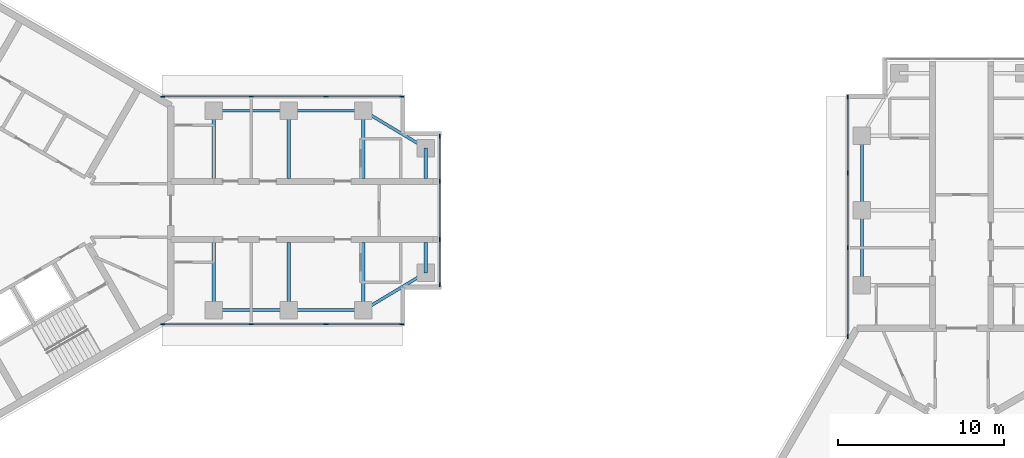
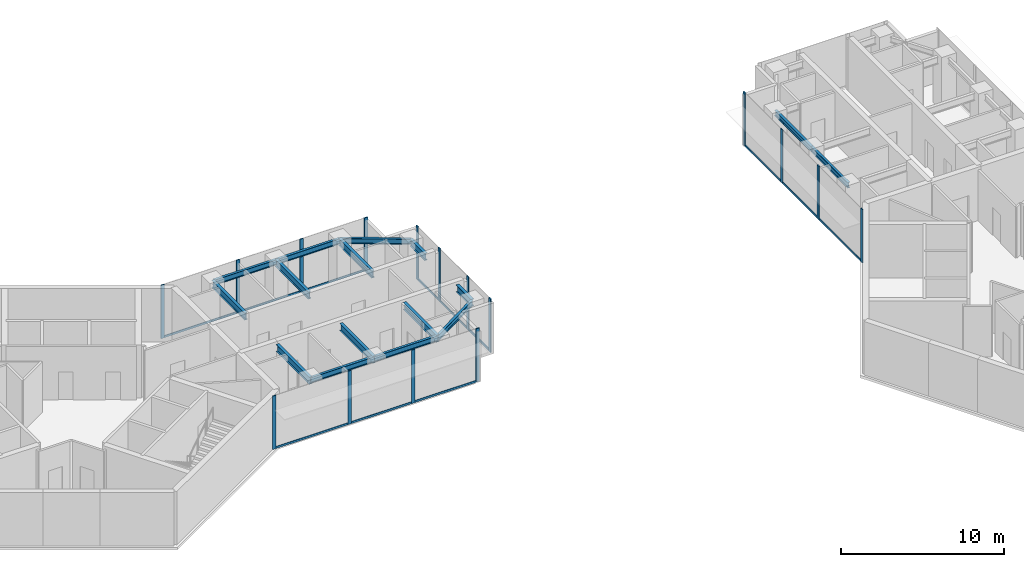
# One storey, part 2 of 11: 28 members, 16 beams, 4 elements without a shape of their own.
"""IFC4 building model written with IfcOpenShell, lengths in metres."""

import ifcopenshell
import ifcopenshell.guid

model = None  # the IFC model being written
_history = None  # IfcOwnerHistory: only IFC2X3 demands one
_inside = {}  # id of a spatial element -> (the spatial element, [elements in it])
_under = {}  # id of a project, library or spatial element -> (it, [spatial elements below it])
_declared = {}  # id of a project -> (the project, [libraries it declares])
_typed = {}  # id of a type object -> (the type object, [elements of that type])
_made_of = {}  # id of a material, layer set ... -> (it, [elements and type objects made of it])


def new_model(schema):
    """Start an empty IFC model of exactly this schema.

    Asked for "IFC4X3", IfcOpenShell would pick the latest addendum, in which some entities
    have other attributes; the version numbers below select the first issue.
    IFC2X3 requires an IfcOwnerHistory on every rooted entity: one is made here for all.
    """
    global model, _history
    if schema == "IFC4X3":
        model = ifcopenshell.file(schema_version=(4, 3, 0, 0))
    else:
        model = ifcopenshell.file(schema=schema)
    _inside.clear()
    _under.clear()
    _declared.clear()
    _typed.clear()
    _made_of.clear()
    _history = None
    if model.schema == "IFC2X3":
        org = make("IfcOrganization", Name="unknown")
        user = make(
            "IfcPersonAndOrganization",
            ThePerson=make("IfcPerson", FamilyName="unknown"),
            TheOrganization=org,
        )
        app = make(
            "IfcApplication",
            ApplicationDeveloper=org,
            Version="unknown",
            ApplicationFullName="unknown",
            ApplicationIdentifier="unknown",
        )
        _history = make(
            "IfcOwnerHistory",
            OwningUser=user,
            OwningApplication=app,
            ChangeAction="ADDED",
            CreationDate=0,
        )
    return model


def make(cls, **values):
    """One entity of the class cls with the attributes given. An attribute that is None is left unset."""
    return model.create_entity(
        cls, **{name: value for name, value in values.items() if value is not None}
    )


def rooted(cls, **values):
    """An entity with a GlobalId (a new one), such as an element, a storey or a relation."""
    return make(cls, GlobalId=ifcopenshell.guid.new(), OwnerHistory=_history, **values)


def si_unit(unit_type, name, prefix=None):
    """IfcSIUnit, for example si_unit("LENGTHUNIT", "METRE", prefix="MILLI")."""
    return make("IfcSIUnit", UnitType=unit_type, Prefix=prefix, Name=name)


def assignment(units):
    """IfcUnitAssignment: the units of a project."""
    return None if units is None else make("IfcUnitAssignment", Units=units)


def point(xyz):
    """IfcCartesianPoint."""
    return None if xyz is None else make("IfcCartesianPoint", Coordinates=xyz)


def direction(xyz):
    """IfcDirection."""
    return None if xyz is None else make("IfcDirection", DirectionRatios=xyz)


def frame(location, z_axis=None, x_axis=None):
    """IfcAxis2Placement3D, a coordinate frame: its origin and axes. An axis left out is left unset."""
    return make(
        "IfcAxis2Placement3D",
        Location=point(location),
        Axis=direction(z_axis),
        RefDirection=direction(x_axis),
    )


def frame_2d(location, x_axis=None):
    """IfcAxis2Placement2D, a coordinate frame in the plane: its origin and x axis."""
    return make(
        "IfcAxis2Placement2D", Location=point(location), RefDirection=direction(x_axis)
    )


def origin():
    """The frame at (0, 0, 0) with its axes left unset."""
    return frame((0.0, 0.0, 0.0))


def origin_2d():
    """The frame at (0, 0) in the plane with its x axis left unset."""
    return frame_2d((0.0, 0.0))


def place(relative_to, where):
    """IfcLocalPlacement: puts the frame where relative to a parent placement (None: the world)."""
    return make(
        "IfcLocalPlacement", PlacementRelTo=relative_to, RelativePlacement=where
    )


def context(
    kind, dimensions, precision=None, world=None, true_north=None, identifier=None
):
    """IfcGeometricRepresentationContext, for example the 3D "Model" context."""
    return make(
        "IfcGeometricRepresentationContext",
        ContextIdentifier=identifier,
        ContextType=kind,
        CoordinateSpaceDimension=dimensions,
        Precision=precision,
        WorldCoordinateSystem=world,
        TrueNorth=true_north,
    )


def subcontext(parent, identifier, kind, view, scale=None):
    """IfcGeometricRepresentationSubContext, for example "Body" below "Model"."""
    return make(
        "IfcGeometricRepresentationSubContext",
        ContextIdentifier=identifier,
        ContextType=kind,
        ParentContext=parent,
        TargetScale=scale,
        TargetView=view,
    )


def project(units=None, contexts=None):
    """IfcProject with its units and contexts."""
    return rooted(
        "IfcProject",
        Name="project",
        RepresentationContexts=contexts,
        UnitsInContext=assignment(units),
    )


def spatial(cls, under=None, at=None, **own):
    """A site, building, storey or space (cls), placed at a placement, below another one or the project."""
    s = rooted(cls, ObjectPlacement=at, **own)
    if under is not None:
        _under.setdefault(under.id(), (under, []))[1].append(s)
    return s


def profile(cls, at=None, kind="AREA", **sizes):
    """A parametric profile (cls). Its sizes go by their IFC names, for example OverallWidth=200.0."""
    return make(cls, ProfileType=kind, Position=at, **sizes)


def rectangle(**sizes):
    """IfcRectangleProfileDef."""
    return profile("IfcRectangleProfileDef", **sizes)


def i_section(**sizes):
    """IfcIShapeProfileDef."""
    return profile("IfcIShapeProfileDef", **sizes)


def extrude(swept, where, along, depth):
    """IfcExtrudedAreaSolid: the profile swept, set in the frame where, extruded along a direction by depth."""
    return make(
        "IfcExtrudedAreaSolid",
        SweptArea=swept,
        Position=where,
        ExtrudedDirection=direction(along),
        Depth=depth,
    )


def shape(context_of_items, identifier, shape_type, items):
    """IfcShapeRepresentation: the items that make up one representation, for example the "Body"."""
    return make(
        "IfcShapeRepresentation",
        ContextOfItems=context_of_items,
        RepresentationIdentifier=identifier,
        RepresentationType=shape_type,
        Items=items,
    )


def material(Name=None, Category=None):
    """IfcMaterial."""
    return make("IfcMaterial", Name=Name, Category=Category)


def material_profile(
    of_material, cross_section, Name=None, Category=None, Priority=None
):
    """IfcMaterialProfile: a cross section and its material."""
    return make(
        "IfcMaterialProfile",
        Name=Name,
        Material=of_material,
        Profile=cross_section,
        Priority=Priority,
        Category=Category,
    )


def profile_set(profiles, Name=None, composite=None):
    """IfcMaterialProfileSet."""
    return make(
        "IfcMaterialProfileSet",
        Name=Name,
        MaterialProfiles=profiles,
        CompositeProfile=composite,
    )


def made_of(thing, what):
    """Note that an element or type object is made of a material, layer set ...; save() writes the relation."""
    if what is not None:
        _made_of.setdefault(what.id(), (what, []))[1].append(thing)
    return thing


def type_object(cls, material=None, **own):
    """A type object (cls), such as IfcWallType, which elements share."""
    return made_of(rooted(cls, **own), material)


def element(
    cls,
    number,
    at=None,
    inside=None,
    cuts=None,
    type_object=None,
    material=None,
    context=None,
    identifier="Body",
    shape_type=None,
    held_by="IfcProductDefinitionShape",
    body=None,
    shapes=None,
    **own,
):
    """One element of the class cls, such as IfcWall. Its Tag is "e" and its number.

    at: its placement. inside: the storey or other place that contains it. cuts: it is an
    opening in that element (IfcRelVoidsElement). A single representation is given by context,
    identifier, shape_type and body (its items); several are given by shapes. held_by: the class
    of the entity that holds the representations. save() writes the other relations.
    """
    e = rooted(cls, Tag="e%d" % number, ObjectPlacement=at, **own)
    if body is not None:
        shapes = [shape(context, identifier, shape_type, body)]
    if shapes is not None:
        e.Representation = make(held_by, Representations=shapes)
    if inside is not None:
        _inside.setdefault(inside.id(), (inside, []))[1].append(e)
    if cuts is not None:
        rooted(
            "IfcRelVoidsElement", RelatingBuildingElement=cuts, RelatedOpeningElement=e
        )
    if type_object is not None:
        _typed.setdefault(type_object.id(), (type_object, []))[1].append(e)
    return made_of(e, material)


def aggregate(whole, parts):
    """IfcRelAggregates: a whole, such as a stair, and the parts it consists of."""
    return rooted("IfcRelAggregates", RelatingObject=whole, RelatedObjects=parts)


def save(model, path):
    """Write the relations noted so far, then the file.

    IfcRelAggregates (storeys below a building ...), IfcRelContainedInSpatialStructure (elements
    in a storey), IfcRelDefinesByType, IfcRelAssociatesMaterial and IfcRelDeclares: one each for
    every whole, place, type object, material and project.
    """
    for whole, parts in _under.values():
        aggregate(whole, parts)
    for where, things in _inside.values():
        rooted(
            "IfcRelContainedInSpatialStructure",
            RelatedElements=things,
            RelatingStructure=where,
        )
    for kind, things in _typed.values():
        rooted("IfcRelDefinesByType", RelatedObjects=things, RelatingType=kind)
    for what, things in _made_of.values():
        rooted("IfcRelAssociatesMaterial", RelatedObjects=things, RelatingMaterial=what)
    for by, libraries in _declared.values():
        rooted("IfcRelDeclares", RelatingContext=by, RelatedDefinitions=libraries)
    model.write(path)


model = new_model("IFC4")

# Units and contexts
model_context = context("Model", 3, precision=1e-05, world=origin(), true_north=direction((0.0, 1.0)))
body_context = subcontext(model_context, "Body", "Model", "MODEL_VIEW")
ifc_project = project(units=[si_unit("LENGTHUNIT", "METRE"), si_unit("AREAUNIT", "SQUARE_METRE"), si_unit("VOLUMEUNIT", "CUBIC_METRE"), si_unit("PLANEANGLEUNIT", "RADIAN"), si_unit("MASSUNIT", "GRAM", prefix="KILO")], contexts=[model_context])

# Site, building, storey
site_placement = place(None, origin())
site = spatial("IfcSite", under=ifc_project, at=site_placement, CompositionType="ELEMENT")
building_placement = place(site_placement, origin())
building = spatial("IfcBuilding", under=site, at=building_placement, Name="Upepo Twin Towers", CompositionType="ELEMENT")
storey_placement = place(building_placement, frame((0.0, 0.0, 251.5)))
storey = spatial("IfcBuildingStorey", under=building, at=storey_placement, Name="L61", CompositionType="ELEMENT", Elevation=251.5)

# Beams
ifc_material_1 = material(Name="Steel S355", Category="steel")
ifc_material_profile_1 = material_profile(ifc_material_1, i_section(OverallWidth=0.177978515625, OverallDepth=0.406494140625, WebThickness=0.0078125, FlangeThickness=0.0126953125, FilletRadius=0.01025390625, at=origin_2d()), Name="UB 406x178x60")
ifc_profile_set_1 = profile_set([ifc_material_profile_1], Name="Steel S355")
beam_type_1 = type_object("IfcBeamType", Name="Beam UB 406x178x60", PredefinedType="BEAM", material=ifc_profile_set_1)
for number, where, z_axis, x_axis, name in (
    (1, (13.5, 6.0, 3.5966796875), (1.0, 0.0, 0.0), (0.0, 1.0, 0.0), "T1 edge beam AL 13.5-18.0"),
    (2, (18.0, 6.0, 3.5966796875), (1.0, 0.0, 0.0), (0.0, 1.0, 0.0), "T1 edge beam AL 18.0-22.5"),
):
    element("IfcBeam", number, at=place(storey_placement, frame(where, z_axis=z_axis, x_axis=x_axis)), inside=storey, type_object=beam_type_1, Name=name, PredefinedType="BEAM", context=body_context, shape_type="SweptSolid", body=[
        extrude(i_section(OverallWidth=0.177978515625, OverallDepth=0.406494140625, WebThickness=0.0078125, FlangeThickness=0.0126953125, FilletRadius=0.01025390625, at=origin_2d()), origin(), (0.0, 0.0, 1.0), 4.5),
    ])
beam_1_placement = place(storey_placement, frame((22.5, 6.0, 3.5966796875), z_axis=(0.857492925713, -0.514495755428, 0.0), x_axis=(0.514495755428, 0.857492925713, 0.0)))
element("IfcBeam", 3, at=beam_1_placement, inside=storey, type_object=beam_type_1, Name="T1 nose edge beam AL", PredefinedType="BEAM", context=body_context, shape_type="SweptSolid", body=[
    extrude(i_section(OverallWidth=0.177978515625, OverallDepth=0.406494140625, WebThickness=0.0078125, FlangeThickness=0.0126953125, FilletRadius=0.01025390625, at=origin_2d()), origin(), (0.0, 0.0, 1.0), 4.373291015625),
])
for number, where, z_axis, x_axis, name in (
    (4, (13.5, -6.0, 3.5966796875), (1.0, 0.0, 0.0), (0.0, 1.0, 0.0), "T1 edge beam AR 13.5-18.0"),
    (5, (18.0, -6.0, 3.5966796875), (1.0, 0.0, 0.0), (0.0, 1.0, 0.0), "T1 edge beam AR 18.0-22.5"),
):
    element("IfcBeam", number, at=place(storey_placement, frame(where, z_axis=z_axis, x_axis=x_axis)), inside=storey, type_object=beam_type_1, Name=name, PredefinedType="BEAM", context=body_context, shape_type="SweptSolid", body=[
        extrude(i_section(OverallWidth=0.177978515625, OverallDepth=0.406494140625, WebThickness=0.0078125, FlangeThickness=0.0126953125, FilletRadius=0.01025390625, at=origin_2d()), origin(), (0.0, 0.0, 1.0), 4.5),
    ])
beam_2_placement = place(storey_placement, frame((22.5, -6.0, 3.5966796875), z_axis=(0.857492925713, 0.514495755428, 0.0), x_axis=(-0.514495755428, 0.857492925713, 0.0)))
element("IfcBeam", 6, at=beam_2_placement, inside=storey, type_object=beam_type_1, Name="T1 nose edge beam AR", PredefinedType="BEAM", context=body_context, shape_type="SweptSolid", body=[
    extrude(i_section(OverallWidth=0.177978515625, OverallDepth=0.406494140625, WebThickness=0.0078125, FlangeThickness=0.0126953125, FilletRadius=0.01025390625, at=origin_2d()), origin(), (0.0, 0.0, 1.0), 4.373291015625),
])
for number, where, z_axis, x_axis, name in (
    (7, (52.5, -4.5, 3.5966796875), (0.0, 1.0, 0.0), (-1.0, 0.0, 0.0), "T2 edge beam AL 13.5-18.0"),
    (8, (52.5, 0.0, 3.5966796875), (0.0, 1.0, 0.0), (-1.0, 0.0, 0.0), "T2 edge beam AL 18.0-22.5"),
):
    element("IfcBeam", number, at=place(storey_placement, frame(where, z_axis=z_axis, x_axis=x_axis)), inside=storey, type_object=beam_type_1, Name=name, PredefinedType="BEAM", context=body_context, shape_type="SweptSolid", body=[
        extrude(i_section(OverallWidth=0.177978515625, OverallDepth=0.406494140625, WebThickness=0.0078125, FlangeThickness=0.0126953125, FilletRadius=0.01025390625, at=origin_2d()), origin(), (0.0, 0.0, 1.0), 4.5),
    ])
ifc_material_2 = material(Name="Steel S355", Category="steel")
ifc_material_profile_2 = material_profile(ifc_material_2, i_section(OverallWidth=0.2099609375, OverallDepth=0.53662109375, WebThickness=0.0107421875, FlangeThickness=0.017333984375, FilletRadius=0.0126953125, at=origin_2d()), Name="UB 533x210x101")
ifc_profile_set_2 = profile_set([ifc_material_profile_2], Name="Steel S355")
beam_type_2 = type_object("IfcBeamType", Name="Beam UB 533x210x101", PredefinedType="BEAM", material=ifc_profile_set_2)
for number, where, z_axis, x_axis, name in (
    (9, (26.25, 3.75, 3.53173828125), (0.0, -1.0, 0.0), (1.0, 0.0, 0.0), "T1 nose beam AL"),
    (10, (26.25, -3.75, 3.53173828125), (0.0, 1.0, 0.0), (-1.0, 0.0, 0.0), "T1 nose beam AR"),
):
    element("IfcBeam", number, at=place(storey_placement, frame(where, z_axis=z_axis, x_axis=x_axis)), inside=storey, type_object=beam_type_2, Name=name, PredefinedType="BEAM", context=body_context, shape_type="SweptSolid", body=[
        extrude(i_section(OverallWidth=0.2099609375, OverallDepth=0.53662109375, WebThickness=0.0107421875, FlangeThickness=0.017333984375, FilletRadius=0.0126953125, at=origin_2d()), origin(), (0.0, 0.0, 1.0), 1.824951171875),
    ])
ifc_material_3 = material(Name="Steel S355", Category="steel")
ifc_material_profile_3 = material_profile(ifc_material_3, i_section(OverallWidth=0.209228515625, OverallDepth=0.533203125, WebThickness=0.010009765625, FlangeThickness=0.015625, FilletRadius=0.0126953125, at=origin_2d()), Name="UB 533x210x92")
ifc_profile_set_3 = profile_set([ifc_material_profile_3], Name="Steel S355")
beam_type_3 = type_object("IfcBeamType", Name="Beam UB 533x210x92", PredefinedType="BEAM", material=ifc_profile_set_3)
for number, where, z_axis, x_axis, name in (
    (11, (13.5, 6.0, 3.533447265625), (0.0, -1.0, 0.0), (1.0, 0.0, 0.0), "T1 girder AL at 13.5"),
    (12, (18.0, 6.0, 3.533447265625), (0.0, -1.0, 0.0), (1.0, 0.0, 0.0), "T1 girder AL at 18.0"),
    (13, (22.5, 6.0, 3.533447265625), (0.0, -1.0, 0.0), (1.0, 0.0, 0.0), "T1 girder AL at 22.5"),
    (14, (13.5, -6.0, 3.533447265625), (0.0, 1.0, 0.0), (-1.0, 0.0, 0.0), "T1 girder AR at 13.5"),
    (15, (18.0, -6.0, 3.533447265625), (0.0, 1.0, 0.0), (-1.0, 0.0, 0.0), "T1 girder AR at 18.0"),
    (16, (22.5, -6.0, 3.533447265625), (0.0, 1.0, 0.0), (-1.0, 0.0, 0.0), "T1 girder AR at 22.5"),
):
    element("IfcBeam", number, at=place(storey_placement, frame(where, z_axis=z_axis, x_axis=x_axis)), inside=storey, type_object=beam_type_3, Name=name, PredefinedType="BEAM", context=body_context, shape_type="SweptSolid", body=[
        extrude(i_section(OverallWidth=0.209228515625, OverallDepth=0.533203125, WebThickness=0.010009765625, FlangeThickness=0.015625, FilletRadius=0.0126953125, at=origin_2d()), origin(), (0.0, 0.0, 1.0), 4.074951171875),
    ])

# Curtain wall, members
ifc_material_4 = material(Name="Aluminium and fritted glass", Category="aluminium")
curtain_wall_type = type_object("IfcCurtainWallType", Name="Tower curtain wall TW4, fritted glass", PredefinedType="NOTDEFINED", material=ifc_material_4)
curtain_wall_1_placement = place(storey_placement, origin())
curtain_wall_1 = element("IfcCurtainWall", 17, at=curtain_wall_1_placement, inside=storey, type_object=curtain_wall_type, Name="T1 L61 wing A flank L curtain wall", PredefinedType="NOTDEFINED")
ifc_material_5 = material(Name="Aluminium mullion", Category="aluminium")
ifc_material_profile_4 = material_profile(ifc_material_5, rectangle(XDim=0.06494140625, YDim=0.25, at=origin_2d()), Name="MULLION 65x250")
ifc_profile_set_4 = profile_set([ifc_material_profile_4], Name="Aluminium mullion")
member_type_1 = type_object("IfcMemberType", Name="Mullion 65x250 TW4", PredefinedType="MULLION", material=ifc_profile_set_4)
member_1_placement = place(storey_placement, frame((10.419677734375, 6.85009765625, 0.0), z_axis=(0.0, 0.0, 1.0), x_axis=(0.0, 1.0, 0.0)))
member_1 = element("IfcMember", 18, at=member_1_placement, type_object=member_type_1, Name="T1 L61 wing A flank L curtain wall mullion 1", PredefinedType="MULLION", context=body_context, shape_type="SweptSolid", body=[
    extrude(rectangle(XDim=0.06494140625, YDim=0.25, at=origin_2d()), origin(), (0.0, 0.0, 1.0), 4.0),
])
member_2_placement = place(storey_placement, frame((15.75, 6.85009765625, 0.0), z_axis=(0.0, 0.0, 1.0), x_axis=(0.0, 1.0, 0.0)))
member_2 = element("IfcMember", 19, at=member_2_placement, type_object=member_type_1, Name="T1 L61 wing A flank L curtain wall mullion 2", PredefinedType="MULLION", context=body_context, shape_type="SweptSolid", body=[
    extrude(rectangle(XDim=0.06494140625, YDim=0.25, at=origin_2d()), origin(), (0.0, 0.0, 1.0), 4.0),
])
member_3_placement = place(storey_placement, frame((20.25, 6.85009765625, 0.0), z_axis=(0.0, 0.0, 1.0), x_axis=(0.0, 1.0, 0.0)))
member_3 = element("IfcMember", 20, at=member_3_placement, type_object=member_type_1, Name="T1 L61 wing A flank L curtain wall mullion 3", PredefinedType="MULLION", context=body_context, shape_type="SweptSolid", body=[
    extrude(rectangle(XDim=0.06494140625, YDim=0.25, at=origin_2d()), origin(), (0.0, 0.0, 1.0), 4.0),
])
member_4_placement = place(storey_placement, frame((24.8173828125, 6.85009765625, 0.0), z_axis=(0.0, 0.0, 1.0), x_axis=(0.0, 1.0, 0.0)))
member_4 = element("IfcMember", 21, at=member_4_placement, type_object=member_type_1, Name="T1 L61 wing A flank L curtain wall mullion 4", PredefinedType="MULLION", context=body_context, shape_type="SweptSolid", body=[
    extrude(rectangle(XDim=0.06494140625, YDim=0.25, at=origin_2d()), origin(), (0.0, 0.0, 1.0), 4.0),
])

curtain_wall_2_placement = place(storey_placement, origin())
curtain_wall_2 = element("IfcCurtainWall", 22, at=curtain_wall_2_placement, inside=storey, type_object=curtain_wall_type, Name="T1 L61 wing A flank R curtain wall", PredefinedType="NOTDEFINED")
member_5_placement = place(storey_placement, frame((24.8173828125, -6.85009765625, 0.0), z_axis=(0.0, 0.0, 1.0), x_axis=(0.0, -1.0, 0.0)))
member_5 = element("IfcMember", 23, at=member_5_placement, type_object=member_type_1, Name="T1 L61 wing A flank R curtain wall mullion 1", PredefinedType="MULLION", context=body_context, shape_type="SweptSolid", body=[
    extrude(rectangle(XDim=0.06494140625, YDim=0.25, at=origin_2d()), origin(), (0.0, 0.0, 1.0), 4.0),
])
member_6_placement = place(storey_placement, frame((20.25, -6.85009765625, 0.0), z_axis=(0.0, 0.0, 1.0), x_axis=(0.0, -1.0, 0.0)))
member_6 = element("IfcMember", 24, at=member_6_placement, type_object=member_type_1, Name="T1 L61 wing A flank R curtain wall mullion 2", PredefinedType="MULLION", context=body_context, shape_type="SweptSolid", body=[
    extrude(rectangle(XDim=0.06494140625, YDim=0.25, at=origin_2d()), origin(), (0.0, 0.0, 1.0), 4.0),
])
member_7_placement = place(storey_placement, frame((15.75, -6.85009765625, 0.0), z_axis=(0.0, 0.0, 1.0), x_axis=(0.0, -1.0, 0.0)))
member_7 = element("IfcMember", 25, at=member_7_placement, type_object=member_type_1, Name="T1 L61 wing A flank R curtain wall mullion 3", PredefinedType="MULLION", context=body_context, shape_type="SweptSolid", body=[
    extrude(rectangle(XDim=0.06494140625, YDim=0.25, at=origin_2d()), origin(), (0.0, 0.0, 1.0), 4.0),
])
member_8_placement = place(storey_placement, frame((10.419677734375, -6.85009765625, 0.0), z_axis=(0.0, 0.0, 1.0), x_axis=(0.0, -1.0, 0.0)))
member_8 = element("IfcMember", 26, at=member_8_placement, type_object=member_type_1, Name="T1 L61 wing A flank R curtain wall mullion 4", PredefinedType="MULLION", context=body_context, shape_type="SweptSolid", body=[
    extrude(rectangle(XDim=0.06494140625, YDim=0.25, at=origin_2d()), origin(), (0.0, 0.0, 1.0), 4.0),
])

curtain_wall_3_placement = place(storey_placement, origin())
curtain_wall_3 = element("IfcCurtainWall", 27, at=curtain_wall_3_placement, inside=storey, type_object=curtain_wall_type, Name="T1 L61 wing A nose curtain wall", PredefinedType="NOTDEFINED")
member_9_placement = place(storey_placement, frame((27.10009765625, -4.467529296875, 0.0), z_axis=(0.0, 0.0, 1.0), x_axis=(-1.0, 0.0, 0.0)))
member_9 = element("IfcMember", 28, at=member_9_placement, type_object=member_type_1, Name="T1 L61 wing A nose curtain wall mullion 1", PredefinedType="MULLION", context=body_context, shape_type="SweptSolid", body=[
    extrude(rectangle(XDim=0.06494140625, YDim=0.25, at=origin_2d()), origin(), (0.0, 0.0, 1.0), 4.0),
])
member_10_placement = place(storey_placement, frame((27.10009765625, -1.75, 0.0), z_axis=(0.0, 0.0, 1.0), x_axis=(-1.0, 0.0, 0.0)))
member_10 = element("IfcMember", 29, at=member_10_placement, type_object=member_type_1, Name="T1 L61 wing A nose curtain wall mullion 2", PredefinedType="MULLION", context=body_context, shape_type="SweptSolid", body=[
    extrude(rectangle(XDim=0.06494140625, YDim=0.25, at=origin_2d()), origin(), (0.0, 0.0, 1.0), 4.0),
])
member_11_placement = place(storey_placement, frame((27.10009765625, 1.75, 0.0), z_axis=(0.0, 0.0, 1.0), x_axis=(-1.0, 0.0, 0.0)))
member_11 = element("IfcMember", 30, at=member_11_placement, type_object=member_type_1, Name="T1 L61 wing A nose curtain wall mullion 3", PredefinedType="MULLION", context=body_context, shape_type="SweptSolid", body=[
    extrude(rectangle(XDim=0.06494140625, YDim=0.25, at=origin_2d()), origin(), (0.0, 0.0, 1.0), 4.0),
])
member_12_placement = place(storey_placement, frame((27.10009765625, 4.467529296875, 0.0), z_axis=(0.0, 0.0, 1.0), x_axis=(-1.0, 0.0, 0.0)))
member_12 = element("IfcMember", 31, at=member_12_placement, type_object=member_type_1, Name="T1 L61 wing A nose curtain wall mullion 4", PredefinedType="MULLION", context=body_context, shape_type="SweptSolid", body=[
    extrude(rectangle(XDim=0.06494140625, YDim=0.25, at=origin_2d()), origin(), (0.0, 0.0, 1.0), 4.0),
])

curtain_wall_4_placement = place(storey_placement, origin())
curtain_wall_4 = element("IfcCurtainWall", 32, at=curtain_wall_4_placement, inside=storey, type_object=curtain_wall_type, Name="T2 L61 wing A flank L curtain wall", PredefinedType="NOTDEFINED")
member_13_placement = place(storey_placement, frame((51.64990234375, -7.580322265625, 0.0), z_axis=(0.0, 0.0, 1.0), x_axis=(-1.0, 0.0, 0.0)))
member_13 = element("IfcMember", 33, at=member_13_placement, type_object=member_type_1, Name="T2 L61 wing A flank L curtain wall mullion 1", PredefinedType="MULLION", context=body_context, shape_type="SweptSolid", body=[
    extrude(rectangle(XDim=0.06494140625, YDim=0.25, at=origin_2d()), origin(), (0.0, 0.0, 1.0), 4.0),
])
member_14_placement = place(storey_placement, frame((51.64990234375, -2.25, 0.0), z_axis=(0.0, 0.0, 1.0), x_axis=(-1.0, 0.0, 0.0)))
member_14 = element("IfcMember", 34, at=member_14_placement, type_object=member_type_1, Name="T2 L61 wing A flank L curtain wall mullion 2", PredefinedType="MULLION", context=body_context, shape_type="SweptSolid", body=[
    extrude(rectangle(XDim=0.06494140625, YDim=0.25, at=origin_2d()), origin(), (0.0, 0.0, 1.0), 4.0),
])
member_15_placement = place(storey_placement, frame((51.64990234375, 2.25, 0.0), z_axis=(0.0, 0.0, 1.0), x_axis=(-1.0, 0.0, 0.0)))
member_15 = element("IfcMember", 35, at=member_15_placement, type_object=member_type_1, Name="T2 L61 wing A flank L curtain wall mullion 3", PredefinedType="MULLION", context=body_context, shape_type="SweptSolid", body=[
    extrude(rectangle(XDim=0.06494140625, YDim=0.25, at=origin_2d()), origin(), (0.0, 0.0, 1.0), 4.0),
])
member_16_placement = place(storey_placement, frame((51.64990234375, 6.8173828125, 0.0), z_axis=(0.0, 0.0, 1.0), x_axis=(-1.0, 0.0, 0.0)))
member_16 = element("IfcMember", 36, at=member_16_placement, type_object=member_type_1, Name="T2 L61 wing A flank L curtain wall mullion 4", PredefinedType="MULLION", context=body_context, shape_type="SweptSolid", body=[
    extrude(rectangle(XDim=0.06494140625, YDim=0.25, at=origin_2d()), origin(), (0.0, 0.0, 1.0), 4.0),
])

# Member
ifc_material_6 = material(Name="Aluminium transom", Category="aluminium")
ifc_material_profile_5 = material_profile(ifc_material_6, rectangle(XDim=0.06494140625, YDim=0.14990234375, at=origin_2d()), Name="TRANSOM 65x150")
ifc_profile_set_5 = profile_set([ifc_material_profile_5], Name="Aluminium transom")
member_type_2 = type_object("IfcMemberType", Name="Transom 65x150 TW4", PredefinedType="USERDEFINED", material=ifc_profile_set_5)
member_17_placement = place(storey_placement, frame((10.4521484375, 6.85009765625, 0.074951171875), z_axis=(1.0, 0.0, 0.0), x_axis=(0.0, 1.0, 0.0)))
member_17 = element("IfcMember", 37, at=member_17_placement, type_object=member_type_2, Name="T1 L61 wing A flank L curtain wall transom 1", ObjectType="TRANSOM", PredefinedType="USERDEFINED", context=body_context, shape_type="SweptSolid", body=[
    extrude(rectangle(XDim=0.06494140625, YDim=0.14990234375, at=origin_2d()), origin(), (0.0, 0.0, 1.0), 5.265380859375),
])

member_18_placement = place(storey_placement, frame((15.782470703125, 6.85009765625, 0.074951171875), z_axis=(1.0, 0.0, 0.0), x_axis=(0.0, 1.0, 0.0)))
member_18 = element("IfcMember", 38, at=member_18_placement, type_object=member_type_2, Name="T1 L61 wing A flank L curtain wall transom 2", ObjectType="TRANSOM", PredefinedType="USERDEFINED", context=body_context, shape_type="SweptSolid", body=[
    extrude(rectangle(XDim=0.06494140625, YDim=0.14990234375, at=origin_2d()), origin(), (0.0, 0.0, 1.0), 4.43505859375),
])

member_19_placement = place(storey_placement, frame((20.282470703125, 6.85009765625, 0.074951171875), z_axis=(1.0, 0.0, 0.0), x_axis=(0.0, 1.0, 0.0)))
member_19 = element("IfcMember", 39, at=member_19_placement, type_object=member_type_2, Name="T1 L61 wing A flank L curtain wall transom 3", ObjectType="TRANSOM", PredefinedType="USERDEFINED", context=body_context, shape_type="SweptSolid", body=[
    extrude(rectangle(XDim=0.06494140625, YDim=0.14990234375, at=origin_2d()), origin(), (0.0, 0.0, 1.0), 4.50244140625),
])

aggregate(curtain_wall_1, [member_1, member_2, member_3, member_4, member_17, member_18, member_19])

member_20_placement = place(storey_placement, frame((24.784912109375, -6.85009765625, 0.074951171875), z_axis=(-1.0, 0.0, 0.0), x_axis=(0.0, -1.0, 0.0)))
member_20 = element("IfcMember", 40, at=member_20_placement, type_object=member_type_2, Name="T1 L61 wing A flank R curtain wall transom 1", ObjectType="TRANSOM", PredefinedType="USERDEFINED", context=body_context, shape_type="SweptSolid", body=[
    extrude(rectangle(XDim=0.06494140625, YDim=0.14990234375, at=origin_2d()), origin(), (0.0, 0.0, 1.0), 4.50244140625),
])

member_21_placement = place(storey_placement, frame((20.217529296875, -6.85009765625, 0.074951171875), z_axis=(-1.0, 0.0, 0.0), x_axis=(0.0, -1.0, 0.0)))
member_21 = element("IfcMember", 41, at=member_21_placement, type_object=member_type_2, Name="T1 L61 wing A flank R curtain wall transom 2", ObjectType="TRANSOM", PredefinedType="USERDEFINED", context=body_context, shape_type="SweptSolid", body=[
    extrude(rectangle(XDim=0.06494140625, YDim=0.14990234375, at=origin_2d()), origin(), (0.0, 0.0, 1.0), 4.43505859375),
])

member_22_placement = place(storey_placement, frame((15.717529296875, -6.85009765625, 0.074951171875), z_axis=(-1.0, 0.0, 0.0), x_axis=(0.0, -1.0, 0.0)))
member_22 = element("IfcMember", 42, at=member_22_placement, type_object=member_type_2, Name="T1 L61 wing A flank R curtain wall transom 3", ObjectType="TRANSOM", PredefinedType="USERDEFINED", context=body_context, shape_type="SweptSolid", body=[
    extrude(rectangle(XDim=0.06494140625, YDim=0.14990234375, at=origin_2d()), origin(), (0.0, 0.0, 1.0), 5.265380859375),
])

aggregate(curtain_wall_2, [member_5, member_6, member_7, member_8, member_20, member_21, member_22])

member_23_placement = place(storey_placement, frame((27.10009765625, -4.43505859375, 0.074951171875), z_axis=(0.0, 1.0, 0.0), x_axis=(-1.0, 0.0, 0.0)))
member_23 = element("IfcMember", 43, at=member_23_placement, type_object=member_type_2, Name="T1 L61 wing A nose curtain wall transom 1", ObjectType="TRANSOM", PredefinedType="USERDEFINED", context=body_context, shape_type="SweptSolid", body=[
    extrude(rectangle(XDim=0.06494140625, YDim=0.14990234375, at=origin_2d()), origin(), (0.0, 0.0, 1.0), 2.652587890625),
])

member_24_placement = place(storey_placement, frame((27.10009765625, -1.717529296875, 0.074951171875), z_axis=(0.0, 1.0, 0.0), x_axis=(-1.0, 0.0, 0.0)))
member_24 = element("IfcMember", 44, at=member_24_placement, type_object=member_type_2, Name="T1 L61 wing A nose curtain wall transom 2", ObjectType="TRANSOM", PredefinedType="USERDEFINED", context=body_context, shape_type="SweptSolid", body=[
    extrude(rectangle(XDim=0.06494140625, YDim=0.14990234375, at=origin_2d()), origin(), (0.0, 0.0, 1.0), 3.43505859375),
])

member_25_placement = place(storey_placement, frame((27.10009765625, 1.782470703125, 0.074951171875), z_axis=(0.0, 1.0, 0.0), x_axis=(-1.0, 0.0, 0.0)))
member_25 = element("IfcMember", 45, at=member_25_placement, type_object=member_type_2, Name="T1 L61 wing A nose curtain wall transom 3", ObjectType="TRANSOM", PredefinedType="USERDEFINED", context=body_context, shape_type="SweptSolid", body=[
    extrude(rectangle(XDim=0.06494140625, YDim=0.14990234375, at=origin_2d()), origin(), (0.0, 0.0, 1.0), 2.652587890625),
])

aggregate(curtain_wall_3, [member_9, member_10, member_11, member_12, member_23, member_24, member_25])

member_26_placement = place(storey_placement, frame((51.64990234375, -7.5478515625, 0.074951171875), z_axis=(0.0, 1.0, 0.0), x_axis=(-1.0, 0.0, 0.0)))
member_26 = element("IfcMember", 46, at=member_26_placement, type_object=member_type_2, Name="T2 L61 wing A flank L curtain wall transom 1", ObjectType="TRANSOM", PredefinedType="USERDEFINED", context=body_context, shape_type="SweptSolid", body=[
    extrude(rectangle(XDim=0.06494140625, YDim=0.14990234375, at=origin_2d()), origin(), (0.0, 0.0, 1.0), 5.265380859375),
])

member_27_placement = place(storey_placement, frame((51.64990234375, -2.217529296875, 0.074951171875), z_axis=(0.0, 1.0, 0.0), x_axis=(-1.0, 0.0, 0.0)))
member_27 = element("IfcMember", 47, at=member_27_placement, type_object=member_type_2, Name="T2 L61 wing A flank L curtain wall transom 2", ObjectType="TRANSOM", PredefinedType="USERDEFINED", context=body_context, shape_type="SweptSolid", body=[
    extrude(rectangle(XDim=0.06494140625, YDim=0.14990234375, at=origin_2d()), origin(), (0.0, 0.0, 1.0), 4.43505859375),
])

member_28_placement = place(storey_placement, frame((51.64990234375, 2.282470703125, 0.074951171875), z_axis=(0.0, 1.0, 0.0), x_axis=(-1.0, 0.0, 0.0)))
member_28 = element("IfcMember", 48, at=member_28_placement, type_object=member_type_2, Name="T2 L61 wing A flank L curtain wall transom 3", ObjectType="TRANSOM", PredefinedType="USERDEFINED", context=body_context, shape_type="SweptSolid", body=[
    extrude(rectangle(XDim=0.06494140625, YDim=0.14990234375, at=origin_2d()), origin(), (0.0, 0.0, 1.0), 4.50244140625),
])

aggregate(curtain_wall_4, [member_13, member_14, member_15, member_16, member_26, member_27, member_28])

save(model, "model.ifc")
